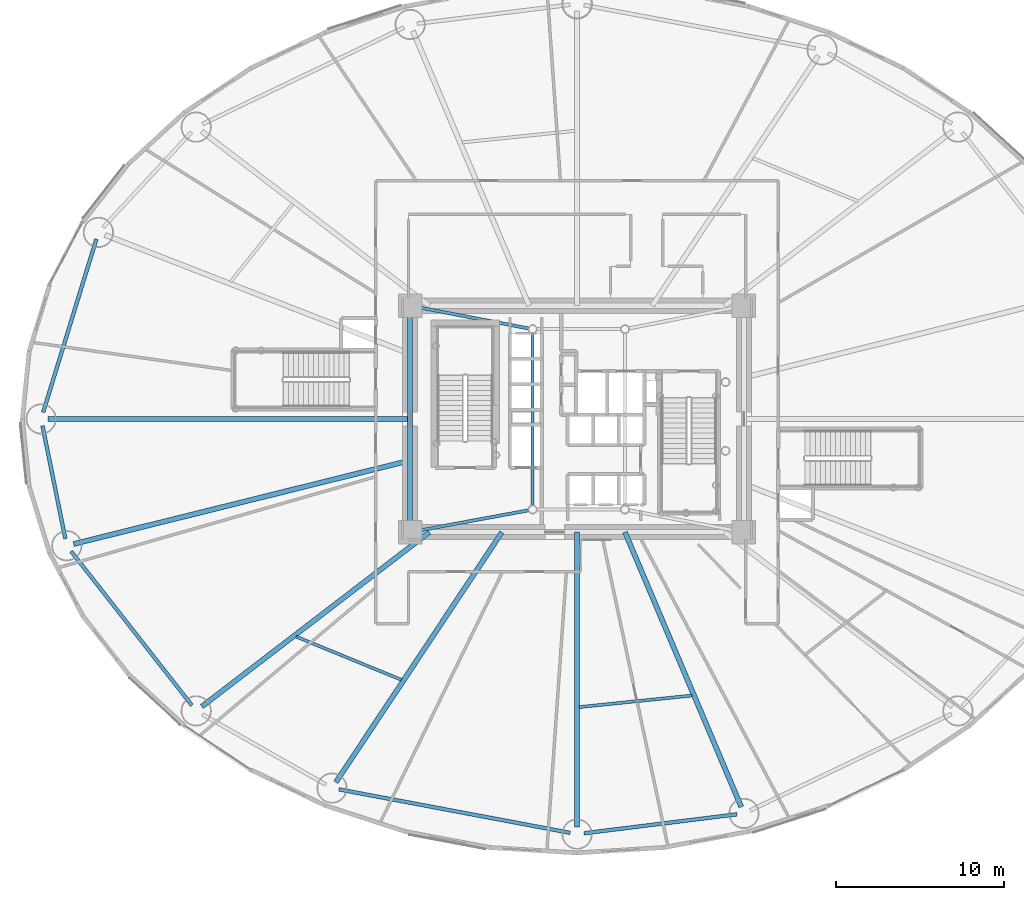
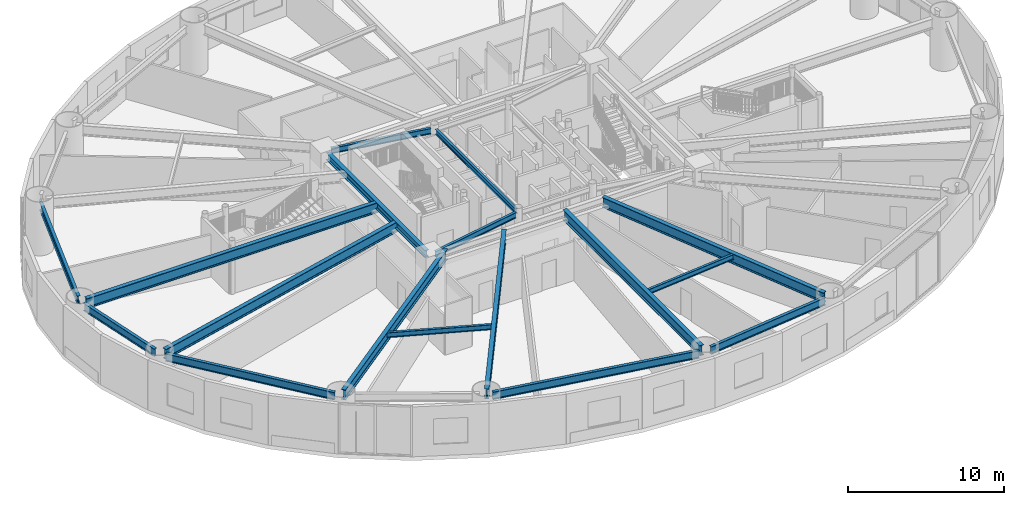
# One storey, part 5 of 27: 17 beams.
"""IFC4 building model written with IfcOpenShell, lengths in metres."""

from ifc_helpers import new_model, si_unit, direction, frame, origin, origin_2d, place, context, subcontext, project, spatial, i_section, extrude, material, material_profile, profile_set, type_object, element, save


model = new_model("IFC4")

# Units and contexts
model_context = context("Model", 3, precision=1e-05, world=origin(), true_north=direction((0.0, 1.0)))
body_context = subcontext(model_context, "Body", "Model", "MODEL_VIEW")
ifc_project = project(units=[si_unit("LENGTHUNIT", "METRE"), si_unit("AREAUNIT", "SQUARE_METRE"), si_unit("VOLUMEUNIT", "CUBIC_METRE"), si_unit("PLANEANGLEUNIT", "RADIAN"), si_unit("MASSUNIT", "GRAM", prefix="KILO")], contexts=[model_context])

# Site, building, storey
site_placement = place(None, origin())
site = spatial("IfcSite", under=ifc_project, at=site_placement, CompositionType="ELEMENT")
building_placement = place(site_placement, origin())
building = spatial("IfcBuilding", under=site, at=building_placement, Name="Linh Dai School and Residence Tower", CompositionType="ELEMENT")
storey_placement = place(building_placement, frame((0.0, 0.0, 18.60009765625)))
storey = spatial("IfcBuildingStorey", under=building, at=storey_placement, Name="L04", CompositionType="ELEMENT", Elevation=18.60009765625)

# Beams
ifc_material = material(Name="Structural Steel S355JR", Category="steel")
ifc_material_profile_1 = material_profile(ifc_material, i_section(OverallWidth=0.219970703125, OverallDepth=0.60009765625, WebThickness=0.011962890625, FlangeThickness=0.01904296875, FilletRadius=0.02392578125, at=origin_2d()), Name="IPE 600")
ifc_profile_set_1 = profile_set([ifc_material_profile_1], Name="Structural Steel S355JR")
beam_type_1 = type_object("IfcBeamType", Name="BM-RB60", PredefinedType="BEAM", material=ifc_profile_set_1)
beam_1_placement = place(storey_placement, frame((7.343017578125, 37.720458984375, 3.599853515625), z_axis=(-0.293626522026, -0.955920219246, 0.0), x_axis=(0.955920219246, -0.293626522026, 0.0)))
element("IfcBeam", 1, at=beam_1_placement, inside=storey, type_object=beam_type_1, Name="L04 Perimeter Elliptical Ring Beam 08", PredefinedType="BEAM", context=body_context, shape_type="SweptSolid", body=[
    extrude(i_section(OverallWidth=0.219970703125, OverallDepth=0.60009765625, WebThickness=0.011962890625, FlangeThickness=0.01904296875, FilletRadius=0.02392578125, at=origin_2d()), origin(), (0.0, 0.0, 1.0), 10.794921875),
])
beam_2_placement = place(storey_placement, frame((4.13330078125, 26.58837890625, 3.599853515625), z_axis=(0.198405440792, -0.980120034008, 0.0), x_axis=(0.980120034008, 0.198405440792, 0.0)))
element("IfcBeam", 2, at=beam_2_placement, inside=storey, type_object=beam_type_1, Name="L04 Perimeter Elliptical Ring Beam 09", PredefinedType="BEAM", context=body_context, shape_type="SweptSolid", body=[
    extrude(i_section(OverallWidth=0.219970703125, OverallDepth=0.60009765625, WebThickness=0.011962890625, FlangeThickness=0.01904296875, FilletRadius=0.02392578125, at=origin_2d()), origin(), (0.0, 0.0, 1.0), 6.86865234375),
])
beam_3_placement = place(storey_placement, frame((5.838623046875, 19.114013671875, 3.599853515625), z_axis=(0.616811949607, -0.787110550572, 0.0), x_axis=(0.787110550572, 0.616811949607, 0.0)))
element("IfcBeam", 3, at=beam_3_placement, inside=storey, type_object=beam_type_1, Name="L04 Perimeter Elliptical Ring Beam 10", PredefinedType="BEAM", context=body_context, shape_type="SweptSolid", body=[
    extrude(i_section(OverallWidth=0.219970703125, OverallDepth=0.60009765625, WebThickness=0.011962890625, FlangeThickness=0.01904296875, FilletRadius=0.02392578125, at=origin_2d()), origin(), (0.0, 0.0, 1.0), 11.668212890625),
])
beam_4_placement = place(storey_placement, frame((21.803466796875, 4.917236328125, 3.599853515625), z_axis=(0.98280551354, -0.184643772045, 0.0), x_axis=(0.184643772045, 0.98280551354, 0.0)))
element("IfcBeam", 4, at=beam_4_placement, inside=storey, type_object=beam_type_1, Name="L04 Perimeter Elliptical Ring Beam 12", PredefinedType="BEAM", context=body_context, shape_type="SweptSolid", body=[
    extrude(i_section(OverallWidth=0.219970703125, OverallDepth=0.60009765625, WebThickness=0.011962890625, FlangeThickness=0.01904296875, FilletRadius=0.02392578125, at=origin_2d()), origin(), (0.0, 0.0, 1.0), 14.02490234375),
])
beam_5_placement = place(storey_placement, frame((36.416748046875, 2.3017578125, 3.599853515625), z_axis=(0.992402470446, 0.123033884169, 0.0), x_axis=(-0.123033884169, 0.992402470446, 0.0)))
element("IfcBeam", 5, at=beam_5_placement, inside=storey, type_object=beam_type_1, Name="L04 Perimeter Elliptical Ring Beam 13", PredefinedType="BEAM", context=body_context, shape_type="SweptSolid", body=[
    extrude(i_section(OverallWidth=0.219970703125, OverallDepth=0.60009765625, WebThickness=0.011962890625, FlangeThickness=0.01904296875, FilletRadius=0.02392578125, at=origin_2d()), origin(), (0.0, 0.0, 1.0), 9.1875),
])
ifc_material_profile_2 = material_profile(ifc_material, i_section(OverallWidth=0.300048828125, OverallDepth=0.550048828125, WebThickness=0.014892578125, FlangeThickness=0.029052734375, FilletRadius=0.027099609375, at=origin_2d()), Name="HEB 550")
ifc_profile_set_2 = profile_set([ifc_material_profile_2], Name="Structural Steel S355JR")
beam_type_2 = type_object("IfcBeamType", Name="BM-RG55", PredefinedType="BEAM", material=ifc_profile_set_2)
beam_6_placement = place(storey_placement, frame((26.050048828125, 33.330078125, 3.625), z_axis=(0.0, -1.0, 0.0), x_axis=(1.0, 0.0, 0.0)))
element("IfcBeam", 6, at=beam_6_placement, inside=storey, type_object=beam_type_2, Name="L04 Core Perimeter Coupling Girder 4", PredefinedType="BEAM", context=body_context, shape_type="SweptSolid", body=[
    extrude(i_section(OverallWidth=0.300048828125, OverallDepth=0.550048828125, WebThickness=0.014892578125, FlangeThickness=0.029052734375, FilletRadius=0.027099609375, at=origin_2d()), origin(), (0.0, 0.0, 1.0), 12.66015625),
])
ifc_material_profile_3 = material_profile(ifc_material, i_section(OverallWidth=0.300048828125, OverallDepth=0.800048828125, WebThickness=0.017578125, FlangeThickness=0.032958984375, FilletRadius=0.030029296875, at=origin_2d()), Name="HEB 800")
ifc_profile_set_3 = profile_set([ifc_material_profile_3], Name="Structural Steel S355JR")
beam_type_3 = type_object("IfcBeamType", Name="BM-RG8", PredefinedType="BEAM", material=ifc_profile_set_3)
beam_7_placement = place(storey_placement, frame((26.050048828125, 27.0, 3.5), z_axis=(-1.0, 0.0, 0.0), x_axis=(0.0, -1.0, 0.0)))
element("IfcBeam", 7, at=beam_7_placement, inside=storey, type_object=beam_type_3, Name="L04 Primary Radial Floor Girder 09", PredefinedType="BEAM", context=body_context, shape_type="SweptSolid", body=[
    extrude(i_section(OverallWidth=0.300048828125, OverallDepth=0.800048828125, WebThickness=0.017578125, FlangeThickness=0.032958984375, FilletRadius=0.030029296875, at=origin_2d()), origin(), (0.0, 0.0, 1.0), 21.580078125),
])
beam_8_placement = place(storey_placement, frame((26.050048828125, 24.52880859375, 3.5), z_axis=(-0.970515097282, -0.241040340913, 0.0), x_axis=(0.241040340913, -0.970515097282, 0.0)))
element("IfcBeam", 8, at=beam_8_placement, inside=storey, type_object=beam_type_3, Name="L04 Primary Radial Floor Girder 10", PredefinedType="BEAM", context=body_context, shape_type="SweptSolid", body=[
    extrude(i_section(OverallWidth=0.300048828125, OverallDepth=0.800048828125, WebThickness=0.017578125, FlangeThickness=0.032958984375, FilletRadius=0.030029296875, at=origin_2d()), origin(), (0.0, 0.0, 1.0), 20.672607421875),
])
beam_9_placement = place(storey_placement, frame((27.192138671875, 20.25, 3.5), z_axis=(-0.793713040757, -0.608292371259, 0.0), x_axis=(0.608292371259, -0.793713040757, 0.0)))
element("IfcBeam", 9, at=beam_9_placement, inside=storey, type_object=beam_type_3, Name="L04 Primary Radial Floor Girder 11", PredefinedType="BEAM", context=body_context, shape_type="SweptSolid", body=[
    extrude(i_section(OverallWidth=0.300048828125, OverallDepth=0.800048828125, WebThickness=0.017578125, FlangeThickness=0.032958984375, FilletRadius=0.030029296875, at=origin_2d()), origin(), (0.0, 0.0, 1.0), 17.08935546875),
])
beam_10_placement = place(storey_placement, frame((31.518798828125, 20.25, 3.5), z_axis=(-0.553108911901, -0.833108955404, 0.0), x_axis=(0.833108955404, -0.553108911901, 0.0)))
element("IfcBeam", 10, at=beam_10_placement, inside=storey, type_object=beam_type_3, Name="L04 Primary Radial Floor Girder 12", PredefinedType="BEAM", context=body_context, shape_type="SweptSolid", body=[
    extrude(i_section(OverallWidth=0.300048828125, OverallDepth=0.800048828125, WebThickness=0.017578125, FlangeThickness=0.032958984375, FilletRadius=0.030029296875, at=origin_2d()), origin(), (0.0, 0.0, 1.0), 17.89111328125),
])
beam_11_placement = place(storey_placement, frame((36.0, 20.25, 3.5), z_axis=(0.0, -1.0, 0.0), x_axis=(1.0, 0.0, 0.0)))
element("IfcBeam", 11, at=beam_11_placement, inside=storey, type_object=beam_type_3, Name="L04 Primary Radial Floor Girder 13", PredefinedType="BEAM", context=body_context, shape_type="SweptSolid", body=[
    extrude(i_section(OverallWidth=0.300048828125, OverallDepth=0.800048828125, WebThickness=0.017578125, FlangeThickness=0.032958984375, FilletRadius=0.030029296875, at=origin_2d()), origin(), (0.0, 0.0, 1.0), 17.580078125),
])
beam_12_placement = place(storey_placement, frame((38.8564453125, 20.25, 3.5), z_axis=(0.389695518128, -0.920943756779, 0.0), x_axis=(0.920943756779, 0.389695518128, 0.0)))
element("IfcBeam", 12, at=beam_12_placement, inside=storey, type_object=beam_type_3, Name="L04 Primary Radial Floor Girder 14", PredefinedType="BEAM", context=body_context, shape_type="SweptSolid", body=[
    extrude(i_section(OverallWidth=0.300048828125, OverallDepth=0.800048828125, WebThickness=0.017578125, FlangeThickness=0.032958984375, FilletRadius=0.030029296875, at=origin_2d()), origin(), (0.0, 0.0, 1.0), 17.785400390625),
])
ifc_material_profile_4 = material_profile(ifc_material, i_section(OverallWidth=0.179931640625, OverallDepth=0.39990234375, WebThickness=0.008544921875, FlangeThickness=0.013427734375, FilletRadius=0.02099609375, at=origin_2d()), Name="IPE 400")
ifc_profile_set_4 = profile_set([ifc_material_profile_4], Name="Structural Steel S355JR")
beam_type_4 = type_object("IfcBeamType", Name="BM-SB40", PredefinedType="BEAM", material=ifc_profile_set_4)
beam_13_placement = place(storey_placement, frame((33.35009765625, 32.1259765625, 3.699951171875), z_axis=(0.0, -1.0, 0.0), x_axis=(1.0, 0.0, 0.0)))
element("IfcBeam", 13, at=beam_13_placement, inside=storey, type_object=beam_type_4, Name="L04 Core Mast Pier Tie Beam 4", PredefinedType="BEAM", context=body_context, shape_type="SweptSolid", body=[
    extrude(i_section(OverallWidth=0.179931640625, OverallDepth=0.39990234375, WebThickness=0.008544921875, FlangeThickness=0.013427734375, FilletRadius=0.02099609375, at=origin_2d()), origin(), (0.0, 0.0, 1.0), 10.302001953125),
])
beam_14_placement = place(storey_placement, frame((19.251953125, 14.023193359375, 3.699951171875), z_axis=(0.925243182728, -0.37937455478, 0.0), x_axis=(0.37937455478, 0.925243182728, 0.0)))
element("IfcBeam", 14, at=beam_14_placement, inside=storey, type_object=beam_type_4, Name="L04 Secondary Circumferential Floor Beam 06", PredefinedType="BEAM", context=body_context, shape_type="SweptSolid", body=[
    extrude(i_section(OverallWidth=0.179931640625, OverallDepth=0.39990234375, WebThickness=0.008544921875, FlangeThickness=0.013427734375, FilletRadius=0.02099609375, at=origin_2d()), origin(), (0.0, 0.0, 1.0), 6.779052734375),
])
beam_15_placement = place(storey_placement, frame((36.12939453125, 9.8232421875, 3.699951171875), z_axis=(0.994770416376, 0.102136275157, 0.0), x_axis=(-0.102136275157, 0.994770416376, 0.0)))
element("IfcBeam", 15, at=beam_15_placement, inside=storey, type_object=beam_type_4, Name="L04 Secondary Circumferential Floor Beam 07", PredefinedType="BEAM", context=body_context, shape_type="SweptSolid", body=[
    extrude(i_section(OverallWidth=0.179931640625, OverallDepth=0.39990234375, WebThickness=0.008544921875, FlangeThickness=0.013427734375, FilletRadius=0.02099609375, at=origin_2d()), origin(), (0.0, 0.0, 1.0), 6.748046875),
])
ifc_material_profile_5 = material_profile(ifc_material, i_section(OverallWidth=0.18994140625, OverallDepth=0.449951171875, WebThickness=0.009521484375, FlangeThickness=0.0146484375, FilletRadius=0.02099609375, at=origin_2d()), Name="IPE 450")
ifc_profile_set_5 = profile_set([ifc_material_profile_5], Name="Structural Steel S355JR")
beam_type_5 = type_object("IfcBeamType", Name="BM-SB45", PredefinedType="BEAM", material=ifc_profile_set_5)
beam_16_placement = place(storey_placement, frame((26.462890625, 20.326416015625, 3.6748046875), z_axis=(0.983326152819, 0.18185070025, 0.0), x_axis=(-0.18185070025, 0.983326152819, 0.0)))
element("IfcBeam", 16, at=beam_16_placement, inside=storey, type_object=beam_type_5, Name="L04 Core Corner-to-Mast Pier Beam 1", PredefinedType="BEAM", context=body_context, shape_type="SweptSolid", body=[
    extrude(i_section(OverallWidth=0.18994140625, OverallDepth=0.449951171875, WebThickness=0.009521484375, FlangeThickness=0.0146484375, FilletRadius=0.02099609375, at=origin_2d()), origin(), (0.0, 0.0, 1.0), 6.77978515625),
])
beam_17_placement = place(storey_placement, frame((26.46240234375, 33.6708984375, 3.6748046875), z_axis=(0.982100456787, -0.188357884832, 0.0), x_axis=(0.188357884832, 0.982100456787, 0.0)))
element("IfcBeam", 17, at=beam_17_placement, inside=storey, type_object=beam_type_5, Name="L04 Core Corner-to-Mast Pier Beam 4", PredefinedType="BEAM", context=body_context, shape_type="SweptSolid", body=[
    extrude(i_section(OverallWidth=0.18994140625, OverallDepth=0.449951171875, WebThickness=0.009521484375, FlangeThickness=0.0146484375, FilletRadius=0.02099609375, at=origin_2d()), origin(), (0.0, 0.0, 1.0), 6.789306640625),
])

save(model, "model.ifc")
